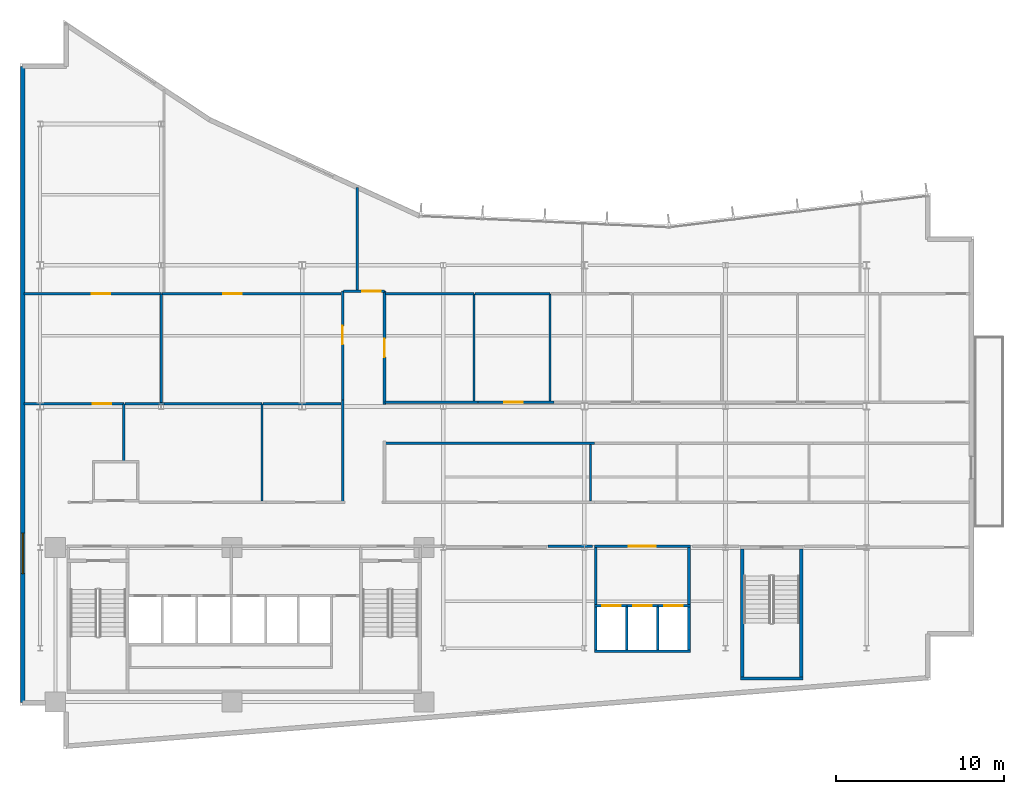
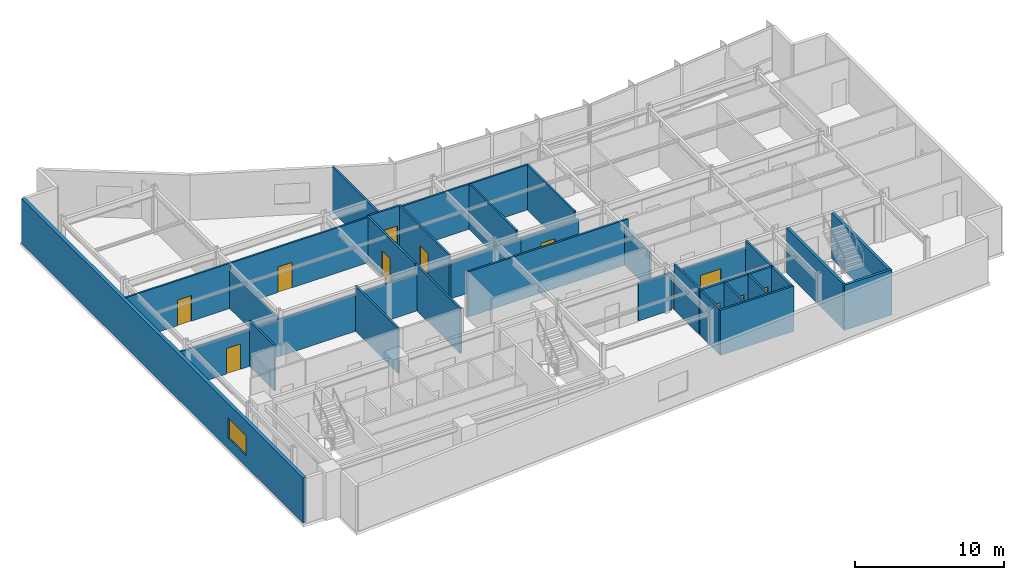
# One storey, part 10 of 17: 38 walls, 11 doors, 1 window, 12 openings.
"""IFC4 building model written with IfcOpenShell, lengths in metres."""

import ifcopenshell
import ifcopenshell.guid

model = None  # the IFC model being written
_history = None  # IfcOwnerHistory: only IFC2X3 demands one
_inside = {}  # id of a spatial element -> (the spatial element, [elements in it])
_under = {}  # id of a project, library or spatial element -> (it, [spatial elements below it])
_declared = {}  # id of a project -> (the project, [libraries it declares])
_typed = {}  # id of a type object -> (the type object, [elements of that type])
_made_of = {}  # id of a material, layer set ... -> (it, [elements and type objects made of it])


def new_model(schema):
    """Start an empty IFC model of exactly this schema.

    Asked for "IFC4X3", IfcOpenShell would pick the latest addendum, in which some entities
    have other attributes; the version numbers below select the first issue.
    IFC2X3 requires an IfcOwnerHistory on every rooted entity: one is made here for all.
    """
    global model, _history
    if schema == "IFC4X3":
        model = ifcopenshell.file(schema_version=(4, 3, 0, 0))
    else:
        model = ifcopenshell.file(schema=schema)
    _inside.clear()
    _under.clear()
    _declared.clear()
    _typed.clear()
    _made_of.clear()
    _history = None
    if model.schema == "IFC2X3":
        org = make("IfcOrganization", Name="unknown")
        user = make(
            "IfcPersonAndOrganization",
            ThePerson=make("IfcPerson", FamilyName="unknown"),
            TheOrganization=org,
        )
        app = make(
            "IfcApplication",
            ApplicationDeveloper=org,
            Version="unknown",
            ApplicationFullName="unknown",
            ApplicationIdentifier="unknown",
        )
        _history = make(
            "IfcOwnerHistory",
            OwningUser=user,
            OwningApplication=app,
            ChangeAction="ADDED",
            CreationDate=0,
        )
    return model


def make(cls, **values):
    """One entity of the class cls with the attributes given. An attribute that is None is left unset."""
    return model.create_entity(
        cls, **{name: value for name, value in values.items() if value is not None}
    )


def rooted(cls, **values):
    """An entity with a GlobalId (a new one), such as an element, a storey or a relation."""
    return make(cls, GlobalId=ifcopenshell.guid.new(), OwnerHistory=_history, **values)


def si_unit(unit_type, name, prefix=None):
    """IfcSIUnit, for example si_unit("LENGTHUNIT", "METRE", prefix="MILLI")."""
    return make("IfcSIUnit", UnitType=unit_type, Prefix=prefix, Name=name)


def assignment(units):
    """IfcUnitAssignment: the units of a project."""
    return None if units is None else make("IfcUnitAssignment", Units=units)


def point(xyz):
    """IfcCartesianPoint."""
    return None if xyz is None else make("IfcCartesianPoint", Coordinates=xyz)


def direction(xyz):
    """IfcDirection."""
    return None if xyz is None else make("IfcDirection", DirectionRatios=xyz)


def frame(location, z_axis=None, x_axis=None):
    """IfcAxis2Placement3D, a coordinate frame: its origin and axes. An axis left out is left unset."""
    return make(
        "IfcAxis2Placement3D",
        Location=point(location),
        Axis=direction(z_axis),
        RefDirection=direction(x_axis),
    )


def frame_2d(location, x_axis=None):
    """IfcAxis2Placement2D, a coordinate frame in the plane: its origin and x axis."""
    return make(
        "IfcAxis2Placement2D", Location=point(location), RefDirection=direction(x_axis)
    )


def origin():
    """The frame at (0, 0, 0) with its axes left unset."""
    return frame((0.0, 0.0, 0.0))


def place(relative_to, where):
    """IfcLocalPlacement: puts the frame where relative to a parent placement (None: the world)."""
    return make(
        "IfcLocalPlacement", PlacementRelTo=relative_to, RelativePlacement=where
    )


def context(
    kind, dimensions, precision=None, world=None, true_north=None, identifier=None
):
    """IfcGeometricRepresentationContext, for example the 3D "Model" context."""
    return make(
        "IfcGeometricRepresentationContext",
        ContextIdentifier=identifier,
        ContextType=kind,
        CoordinateSpaceDimension=dimensions,
        Precision=precision,
        WorldCoordinateSystem=world,
        TrueNorth=true_north,
    )


def subcontext(parent, identifier, kind, view, scale=None):
    """IfcGeometricRepresentationSubContext, for example "Body" below "Model"."""
    return make(
        "IfcGeometricRepresentationSubContext",
        ContextIdentifier=identifier,
        ContextType=kind,
        ParentContext=parent,
        TargetScale=scale,
        TargetView=view,
    )


def project(units=None, contexts=None):
    """IfcProject with its units and contexts."""
    return rooted(
        "IfcProject",
        Name="project",
        RepresentationContexts=contexts,
        UnitsInContext=assignment(units),
    )


def spatial(cls, under=None, at=None, **own):
    """A site, building, storey or space (cls), placed at a placement, below another one or the project."""
    s = rooted(cls, ObjectPlacement=at, **own)
    if under is not None:
        _under.setdefault(under.id(), (under, []))[1].append(s)
    return s


def profile(cls, at=None, kind="AREA", **sizes):
    """A parametric profile (cls). Its sizes go by their IFC names, for example OverallWidth=200.0."""
    return make(cls, ProfileType=kind, Position=at, **sizes)


def rectangle(**sizes):
    """IfcRectangleProfileDef."""
    return profile("IfcRectangleProfileDef", **sizes)


def extrude(swept, where, along, depth):
    """IfcExtrudedAreaSolid: the profile swept, set in the frame where, extruded along a direction by depth."""
    return make(
        "IfcExtrudedAreaSolid",
        SweptArea=swept,
        Position=where,
        ExtrudedDirection=direction(along),
        Depth=depth,
    )


def shape(context_of_items, identifier, shape_type, items):
    """IfcShapeRepresentation: the items that make up one representation, for example the "Body"."""
    return make(
        "IfcShapeRepresentation",
        ContextOfItems=context_of_items,
        RepresentationIdentifier=identifier,
        RepresentationType=shape_type,
        Items=items,
    )


def material(Name=None, Category=None):
    """IfcMaterial."""
    return make("IfcMaterial", Name=Name, Category=Category)


def layer(
    of_material, thickness, ventilated=None, Name=None, Category=None, Priority=None
):
    """IfcMaterialLayer: one layer of a wall or slab, of a material (None: an air gap)."""
    return make(
        "IfcMaterialLayer",
        Material=of_material,
        LayerThickness=thickness,
        IsVentilated=ventilated,
        Name=Name,
        Category=Category,
        Priority=Priority,
    )


def layer_set(layers, Name=None):
    """IfcMaterialLayerSet."""
    return make("IfcMaterialLayerSet", MaterialLayers=layers, LayerSetName=Name)


def made_of(thing, what):
    """Note that an element or type object is made of a material, layer set ...; save() writes the relation."""
    if what is not None:
        _made_of.setdefault(what.id(), (what, []))[1].append(thing)
    return thing


def type_object(cls, material=None, **own):
    """A type object (cls), such as IfcWallType, which elements share."""
    return made_of(rooted(cls, **own), material)


def element(
    cls,
    number,
    at=None,
    inside=None,
    cuts=None,
    type_object=None,
    material=None,
    context=None,
    identifier="Body",
    shape_type=None,
    held_by="IfcProductDefinitionShape",
    body=None,
    shapes=None,
    **own,
):
    """One element of the class cls, such as IfcWall. Its Tag is "e" and its number.

    at: its placement. inside: the storey or other place that contains it. cuts: it is an
    opening in that element (IfcRelVoidsElement). A single representation is given by context,
    identifier, shape_type and body (its items); several are given by shapes. held_by: the class
    of the entity that holds the representations. save() writes the other relations.
    """
    e = rooted(cls, Tag="e%d" % number, ObjectPlacement=at, **own)
    if body is not None:
        shapes = [shape(context, identifier, shape_type, body)]
    if shapes is not None:
        e.Representation = make(held_by, Representations=shapes)
    if inside is not None:
        _inside.setdefault(inside.id(), (inside, []))[1].append(e)
    if cuts is not None:
        rooted(
            "IfcRelVoidsElement", RelatingBuildingElement=cuts, RelatedOpeningElement=e
        )
    if type_object is not None:
        _typed.setdefault(type_object.id(), (type_object, []))[1].append(e)
    return made_of(e, material)


def fill(opening, filler):
    """IfcRelFillsElement: the door or window that sits in an opening."""
    return rooted(
        "IfcRelFillsElement",
        RelatingOpeningElement=opening,
        RelatedBuildingElement=filler,
    )


def aggregate(whole, parts):
    """IfcRelAggregates: a whole, such as a stair, and the parts it consists of."""
    return rooted("IfcRelAggregates", RelatingObject=whole, RelatedObjects=parts)


def save(model, path):
    """Write the relations noted so far, then the file.

    IfcRelAggregates (storeys below a building ...), IfcRelContainedInSpatialStructure (elements
    in a storey), IfcRelDefinesByType, IfcRelAssociatesMaterial and IfcRelDeclares: one each for
    every whole, place, type object, material and project.
    """
    for whole, parts in _under.values():
        aggregate(whole, parts)
    for where, things in _inside.values():
        rooted(
            "IfcRelContainedInSpatialStructure",
            RelatedElements=things,
            RelatingStructure=where,
        )
    for kind, things in _typed.values():
        rooted("IfcRelDefinesByType", RelatedObjects=things, RelatingType=kind)
    for what, things in _made_of.values():
        rooted("IfcRelAssociatesMaterial", RelatedObjects=things, RelatingMaterial=what)
    for by, libraries in _declared.values():
        rooted("IfcRelDeclares", RelatingContext=by, RelatedDefinitions=libraries)
    model.write(path)


model = new_model("IFC4")

# Units and contexts
model_context = context("Model", 3, precision=1e-05, world=origin(), true_north=direction((0.0, 1.0)))
body_context = subcontext(model_context, "Body", "Model", "MODEL_VIEW")
ifc_project = project(units=[si_unit("LENGTHUNIT", "METRE"), si_unit("AREAUNIT", "SQUARE_METRE"), si_unit("VOLUMEUNIT", "CUBIC_METRE"), si_unit("PLANEANGLEUNIT", "RADIAN"), si_unit("MASSUNIT", "GRAM", prefix="KILO")], contexts=[model_context])

# Site, building, storey
site_placement = place(None, origin())
site = spatial("IfcSite", under=ifc_project, at=site_placement, CompositionType="ELEMENT")
building_placement = place(site_placement, origin())
building = spatial("IfcBuilding", under=site, at=building_placement, Name="Varnakote Quay Hospital", CompositionType="ELEMENT")
storey_placement = place(building_placement, frame((0.0, 0.0, 134.949951171875)))
storey = spatial("IfcBuildingStorey", under=building, at=storey_placement, Name="L33", CompositionType="ELEMENT", Elevation=134.949951171875)

# Walls
ifc_material_1 = material(Name="Fire-rated acoustic gypsum stud wall", Category="gypsum")
ifc_layer_1 = layer(ifc_material_1, 0.159912109375)
ifc_layer_set_1 = layer_set([ifc_layer_1], Name="Fire-rated acoustic gypsum stud wall")
wall_type_1 = type_object("IfcWallType", Name="WL-COMP-160", PredefinedType="PARTITIONING", material=ifc_layer_set_1)
for number, where, z_axis, x_axis, name in (
    (1, (34.27001953125, 8.610107421875, 0.0), (0.0, 0.0, 1.0), (0.0, 1.0, 0.0), "L33 Mid-Rise Lift Lobby West Wall"),
    (2, (39.830078125, 8.610107421875, 0.0), (0.0, 0.0, 1.0), (0.0, 1.0, 0.0), "L33 Mid-Rise Lift Lobby East Wall"),
):
    element("IfcWall", number, at=place(storey_placement, frame(where, z_axis=z_axis, x_axis=x_axis)), inside=storey, type_object=wall_type_1, Name=name, PredefinedType="PARTITIONING", context=body_context, shape_type="SweptSolid", body=[
        extrude(rectangle(XDim=3.389892578125, YDim=0.159912109375, at=frame_2d((1.69482421875, 0.0))), origin(), (0.0, 0.0, 1.0), 3.7099609375),
    ])

# Wall, opening, door
wall_1_placement = place(storey_placement, frame((34.18994140625, 12.080078125, 0.0), z_axis=(0.0, 0.0, 1.0), x_axis=(1.0, 0.0, 0.0)))
wall_1 = element("IfcWall", 3, at=wall_1_placement, inside=storey, type_object=wall_type_1, Name="L33 Mid-Rise Lift Lobby North Wall", PredefinedType="PARTITIONING", context=body_context, shape_type="SweptSolid", body=[
    extrude(rectangle(XDim=5.719970703125, YDim=0.159912109375, at=frame_2d((2.85986328125, 0.0))), origin(), (0.0, 0.0, 1.0), 3.0830078125),
])
opening_1_placement = place(wall_1_placement, frame((2.06005859375, 0.0, 0.0)))
opening_1 = element("IfcOpeningElement", 4, at=opening_1_placement, cuts=wall_1, Name="Opening D-PML-L33", PredefinedType="OPENING", context=body_context, shape_type="SweptSolid", body=[
    extrude(rectangle(XDim=1.60009765625, YDim=2.050048828125, at=frame_2d((0.800048828125, 1.02490234375))), frame((0.0, 0.08984375, 0.0), z_axis=(0.0, -1.0, 0.0), x_axis=(1.0, 0.0, 0.0)), (0.0, 0.0, 1.0), 0.179931640625),
])
ifc_material_2 = material(Name="Fire-rated double smoke lobby door")
door_type_1 = type_object("IfcDoorType", Name="DR-LOBBY-FD60S-1600x2150", OperationType="NOTDEFINED", PredefinedType="DOOR", material=ifc_material_2)
door_1_placement = place(opening_1_placement, origin())
door_1 = element("IfcDoor", 5, at=door_1_placement, inside=storey, type_object=door_type_1, Name="L33 Mid-Rise Passenger Concourse Vestibule Door", OperationType="DOUBLE_DOOR_SINGLE_SWING", OverallHeight=2.050048828125, OverallWidth=1.60009765625, PredefinedType="DOOR", context=body_context, shape_type="SweptSolid", body=[
    extrude(rectangle(XDim=1.60009765625, YDim=2.050048828125, at=frame_2d((0.800048828125, 1.02490234375))), frame((0.0, 0.02490234375, 0.0), z_axis=(0.0, -1.0, 0.0), x_axis=(1.0, 0.0, 0.0)), (0.0, 0.0, 1.0), 0.050048828125),
])
fill(opening_1, door_1)

# Wall
wall_2_placement = place(storey_placement, frame((31.439208984375, 12.080078125, 0.0), z_axis=(0.0, 0.0, 1.0), x_axis=(1.0, 0.0, 0.0)))
element("IfcWall", 6, at=wall_2_placement, inside=storey, type_object=wall_type_1, Name="L33 Corridor South Gap Wall", PredefinedType="PARTITIONING", context=body_context, shape_type="SweptSolid", body=[
    extrude(rectangle(XDim=2.630859375, YDim=0.159912109375, at=frame_2d((1.3154296875, 0.0))), origin(), (0.0, 0.0, 1.0), 3.0830078125),
])

# Wall, opening, window
ifc_material_3 = material(Name="Precast concrete N50 (f'c 50 MPa)", Category="concrete")
ifc_layer_2 = layer(ifc_material_3, 0.260009765625)
ifc_layer_set_2 = layer_set([ifc_layer_2], Name="Precast concrete N50 (f'c 50 MPa)")
wall_type_2 = type_object("IfcWallType", Name="WL-EXT-BRICK-260", PredefinedType="STANDARD", material=ifc_layer_set_2)
wall_3_placement = place(storey_placement, frame((0.159912109375, 40.639892578125, 0.0), z_axis=(0.0, 0.0, 1.0), x_axis=(0.0, -1.0, 0.0)))
wall_3 = element("IfcWall", 7, at=wall_3_placement, inside=storey, type_object=wall_type_2, Name="L33 Brick-Faced Precast Exterior Wall", PredefinedType="STANDARD", context=body_context, shape_type="SweptSolid", body=[
    extrude(rectangle(XDim=37.8798828125, YDim=0.260009765625, at=frame_2d((18.93994140625, 0.0))), origin(), (0.0, 0.0, 1.0), 3.7099609375),
])
opening_2_placement = place(wall_3_placement, frame((27.794921875, 0.0, 0.89990234375)))
opening_2 = element("IfcOpeningElement", 8, at=opening_2_placement, cuts=wall_3, Name="Opening WN-0145", PredefinedType="OPENING", context=body_context, shape_type="SweptSolid", body=[
    extrude(rectangle(XDim=2.39990234375, YDim=1.64990234375, at=frame_2d((1.199951171875, 0.824951171875))), frame((0.0, 0.139892578125, 0.0), z_axis=(0.0, -1.0, 0.0), x_axis=(1.0, 0.0, 0.0)), (0.0, 0.0, 1.0), 0.280029296875),
])
ifc_material_4 = material(Name="Double-glazed low-E solar glass", Category="glass")
window_type = type_object("IfcWindowType", Name="WIN-CLIN-2400x1650", PartitioningType="SINGLE_PANEL", PredefinedType="WINDOW", material=ifc_material_4)
window_placement = place(opening_2_placement, origin())
window = element("IfcWindow", 9, at=window_placement, inside=storey, type_object=window_type, Name="L33 Solar-Control Clinical Window", OverallHeight=1.64990234375, OverallWidth=2.39990234375, PartitioningType="SINGLE_PANEL", PredefinedType="WINDOW", context=body_context, shape_type="SweptSolid", body=[
    extrude(rectangle(XDim=2.39990234375, YDim=1.64990234375, at=frame_2d((1.199951171875, 0.824951171875))), frame((0.0, 0.030029296875, 0.0), z_axis=(0.0, -1.0, 0.0), x_axis=(1.0, 0.0, 0.0)), (0.0, 0.0, 1.0), 0.06005859375),
])
fill(opening_2, window)

# Walls
ifc_material_5 = material(Name="Concrete N50 (f'c 50 MPa)", Category="concrete")
ifc_layer_3 = layer(ifc_material_5, 0.14990234375)
ifc_layer_set_3 = layer_set([ifc_layer_3], Name="Concrete N50 (f'c 50 MPa)")
wall_type_3 = type_object("IfcWallType", Name="WL-SHAFT-N50-150", PredefinedType="SHEAR", material=ifc_layer_set_3)
for number, where, z_axis, x_axis, name in (
    (10, (36.125, 5.89990234375, 0.0), (0.0, 0.0, 1.0), (0.0, 1.0, 0.0), "L33 LF-PM1 Hoistway Divider Wall"),
    (11, (37.97509765625, 5.89990234375, 0.0), (0.0, 0.0, 1.0), (0.0, 1.0, 0.0), "L33 LF-PM2 Hoistway Divider Wall"),
):
    element("IfcWall", number, at=place(storey_placement, frame(where, z_axis=z_axis, x_axis=x_axis)), inside=storey, type_object=wall_type_3, Name=name, PredefinedType="SHEAR", context=body_context, shape_type="SweptSolid", body=[
        extrude(rectangle(XDim=2.550048828125, YDim=0.14990234375, at=frame_2d((1.27490234375, 0.0))), origin(), (0.0, 0.0, 1.0), 3.7099609375),
    ])
ifc_material_6 = material(Name="Concrete N50 (f'c 50 MPa)", Category="concrete")
ifc_layer_4 = layer(ifc_material_6, 0.159912109375)
ifc_layer_set_4 = layer_set([ifc_layer_4], Name="Concrete N50 (f'c 50 MPa)")
wall_type_4 = type_object("IfcWallType", Name="WL-SHAFT-N50-160", PredefinedType="SHEAR", material=ifc_layer_set_4)
wall_4_placement = place(storey_placement, frame((34.18994140625, 5.820068359375, 0.0), z_axis=(0.0, 0.0, 1.0), x_axis=(1.0, 0.0, 0.0)))
element("IfcWall", 12, at=wall_4_placement, inside=storey, type_object=wall_type_4, Name="L33 MID Lift Bank Back Shear Wall", PredefinedType="SHEAR", context=body_context, shape_type="SweptSolid", body=[
    extrude(rectangle(XDim=5.719970703125, YDim=0.159912109375, at=frame_2d((2.85986328125, 0.0))), origin(), (0.0, 0.0, 1.0), 3.7099609375),
])
for number, where, z_axis, x_axis, name in (
    (13, (34.27001953125, 5.89990234375, 0.0), (0.0, 0.0, 1.0), (0.0, 1.0, 0.0), "L33 MID Lift Bank West Shear Wall"),
    (14, (39.830078125, 5.89990234375, 0.0), (0.0, 0.0, 1.0), (0.0, 1.0, 0.0), "L33 MID Lift Bank East Shear Wall"),
):
    element("IfcWall", number, at=place(storey_placement, frame(where, z_axis=z_axis, x_axis=x_axis)), inside=storey, type_object=wall_type_4, Name=name, PredefinedType="SHEAR", context=body_context, shape_type="SweptSolid", body=[
        extrude(rectangle(XDim=2.550048828125, YDim=0.159912109375, at=frame_2d((1.27490234375, 0.0))), origin(), (0.0, 0.0, 1.0), 3.7099609375),
    ])

# Wall, opening, door
wall_5_placement = place(storey_placement, frame((34.18994140625, 8.530029296875, 0.0), z_axis=(0.0, 0.0, 1.0), x_axis=(1.0, 0.0, 0.0)))
wall_5 = element("IfcWall", 15, at=wall_5_placement, inside=storey, type_object=wall_type_4, Name="L33 LF-PM1 Hoistway Front Wall", PredefinedType="SHEAR", context=body_context, shape_type="SweptSolid", body=[
    extrude(rectangle(XDim=1.93505859375, YDim=0.159912109375, at=frame_2d((0.967529296875, 0.0))), origin(), (0.0, 0.0, 1.0), 3.7099609375),
])
opening_3_placement = place(wall_5_placement, frame((0.4599609375, 0.0, 0.0)))
opening_3 = element("IfcOpeningElement", 16, at=opening_3_placement, cuts=wall_5, Name="Opening LD-PM1-L33", PredefinedType="OPENING", context=body_context, shape_type="SweptSolid", body=[
    extrude(rectangle(XDim=1.10009765625, YDim=2.14990234375, at=frame_2d((0.550048828125, 1.074951171875))), frame((0.0, 0.08984375, 0.0), z_axis=(0.0, -1.0, 0.0), x_axis=(1.0, 0.0, 0.0)), (0.0, 0.0, 1.0), 0.179931640625),
])
ifc_material_7 = material(Name="Brushed bronze lift landing sliding door")
door_type_2 = type_object("IfcDoorType", Name="DR-LIFT-LD-1100x2150", OperationType="NOTDEFINED", PredefinedType="DOOR", material=ifc_material_7)
door_2_placement = place(opening_3_placement, origin())
door_2 = element("IfcDoor", 17, at=door_2_placement, inside=storey, type_object=door_type_2, Name="L33 LF-PM1 Lift Landing Sliding Door", OperationType="SLIDING_TO_LEFT", OverallHeight=2.14990234375, OverallWidth=1.10009765625, PredefinedType="DOOR", context=body_context, shape_type="SweptSolid", body=[
    extrude(rectangle(XDim=1.10009765625, YDim=2.14990234375, at=frame_2d((0.550048828125, 1.074951171875))), frame((0.0, 0.02490234375, 0.0), z_axis=(0.0, -1.0, 0.0), x_axis=(1.0, 0.0, 0.0)), (0.0, 0.0, 1.0), 0.050048828125),
])
fill(opening_3, door_2)

wall_6_placement = place(storey_placement, frame((36.125, 8.530029296875, 0.0), z_axis=(0.0, 0.0, 1.0), x_axis=(1.0, 0.0, 0.0)))
wall_6 = element("IfcWall", 18, at=wall_6_placement, inside=storey, type_object=wall_type_4, Name="L33 LF-PM2 Hoistway Front Wall", PredefinedType="SHEAR", context=body_context, shape_type="SweptSolid", body=[
    extrude(rectangle(XDim=1.85009765625, YDim=0.159912109375, at=frame_2d((0.925048828125, 0.0))), origin(), (0.0, 0.0, 1.0), 3.7099609375),
])
opening_4_placement = place(wall_6_placement, frame((0.375, 0.0, 0.0)))
opening_4 = element("IfcOpeningElement", 19, at=opening_4_placement, cuts=wall_6, Name="Opening LD-PM2-L33", PredefinedType="OPENING", context=body_context, shape_type="SweptSolid", body=[
    extrude(rectangle(XDim=1.10009765625, YDim=2.14990234375, at=frame_2d((0.550048828125, 1.074951171875))), frame((0.0, 0.08984375, 0.0), z_axis=(0.0, -1.0, 0.0), x_axis=(1.0, 0.0, 0.0)), (0.0, 0.0, 1.0), 0.179931640625),
])
door_3_placement = place(opening_4_placement, origin())
door_3 = element("IfcDoor", 20, at=door_3_placement, inside=storey, type_object=door_type_2, Name="L33 LF-PM2 Lift Landing Sliding Door", OperationType="SLIDING_TO_LEFT", OverallHeight=2.14990234375, OverallWidth=1.10009765625, PredefinedType="DOOR", context=body_context, shape_type="SweptSolid", body=[
    extrude(rectangle(XDim=1.10009765625, YDim=2.14990234375, at=frame_2d((0.550048828125, 1.074951171875))), frame((0.0, 0.02490234375, 0.0), z_axis=(0.0, -1.0, 0.0), x_axis=(1.0, 0.0, 0.0)), (0.0, 0.0, 1.0), 0.050048828125),
])
fill(opening_4, door_3)

wall_7_placement = place(storey_placement, frame((37.97509765625, 8.530029296875, 0.0), z_axis=(0.0, 0.0, 1.0), x_axis=(1.0, 0.0, 0.0)))
wall_7 = element("IfcWall", 21, at=wall_7_placement, inside=storey, type_object=wall_type_4, Name="L33 LF-PM3 Hoistway Front Wall", PredefinedType="SHEAR", context=body_context, shape_type="SweptSolid", body=[
    extrude(rectangle(XDim=1.934814453125, YDim=0.159912109375, at=frame_2d((0.96728515625, 0.0))), origin(), (0.0, 0.0, 1.0), 3.7099609375),
])
opening_5_placement = place(wall_7_placement, frame((0.375, 0.0, 0.0)))
opening_5 = element("IfcOpeningElement", 22, at=opening_5_placement, cuts=wall_7, Name="Opening LD-PM3-L33", PredefinedType="OPENING", context=body_context, shape_type="SweptSolid", body=[
    extrude(rectangle(XDim=1.10009765625, YDim=2.14990234375, at=frame_2d((0.550048828125, 1.074951171875))), frame((0.0, 0.08984375, 0.0), z_axis=(0.0, -1.0, 0.0), x_axis=(1.0, 0.0, 0.0)), (0.0, 0.0, 1.0), 0.179931640625),
])
door_4_placement = place(opening_5_placement, origin())
door_4 = element("IfcDoor", 23, at=door_4_placement, inside=storey, type_object=door_type_2, Name="L33 LF-PM3 Lift Landing Sliding Door", OperationType="SLIDING_TO_LEFT", OverallHeight=2.14990234375, OverallWidth=1.10009765625, PredefinedType="DOOR", context=body_context, shape_type="SweptSolid", body=[
    extrude(rectangle(XDim=1.10009765625, YDim=2.14990234375, at=frame_2d((0.550048828125, 1.074951171875))), frame((0.0, 0.02490234375, 0.0), z_axis=(0.0, -1.0, 0.0), x_axis=(1.0, 0.0, 0.0)), (0.0, 0.0, 1.0), 0.050048828125),
])
fill(opening_5, door_4)

# Walls
ifc_material_8 = material(Name="Concrete N50 (f'c 50 MPa)", Category="concrete")
ifc_layer_5 = layer(ifc_material_8, 0.199951171875)
ifc_layer_set_5 = layer_set([ifc_layer_5], Name="Concrete N50 (f'c 50 MPa)")
wall_type_5 = type_object("IfcWallType", Name="WL-SHAFT-N50-200", PredefinedType="SHEAR", material=ifc_layer_set_5)
wall_8_placement = place(storey_placement, frame((42.89990234375, 4.199951171875, 0.0), z_axis=(0.0, 0.0, 1.0), x_axis=(1.0, 0.0, 0.0)))
element("IfcWall", 24, at=wall_8_placement, inside=storey, type_object=wall_type_5, Name="L33 Stair ST3 South Shaft Wall", PredefinedType="SHEAR", context=body_context, shape_type="SweptSolid", body=[
    extrude(rectangle(XDim=3.7001953125, YDim=0.199951171875, at=frame_2d((1.85009765625, 0.0))), origin(), (0.0, 0.0, 1.0), 3.7099609375),
])
for number, where, z_axis, x_axis, name in (
    (25, (43.0, 4.300048828125, 0.0), (0.0, 0.0, 1.0), (0.0, 1.0, 0.0), "L33 Stair ST3 West Shaft Wall"),
    (26, (46.5, 4.300048828125, 0.0), (0.0, 0.0, 1.0), (0.0, 1.0, 0.0), "L33 Stair ST3 East Shaft Wall"),
):
    element("IfcWall", number, at=place(storey_placement, frame(where, z_axis=z_axis, x_axis=x_axis)), inside=storey, type_object=wall_type_5, Name=name, PredefinedType="SHEAR", context=body_context, shape_type="SweptSolid", body=[
        extrude(rectangle(XDim=7.599853515625, YDim=0.199951171875, at=frame_2d((3.7998046875, 0.0))), origin(), (0.0, 0.0, 1.0), 3.7099609375),
    ])
ifc_material_9 = material(Name="Smoke-proof clinical partition", Category="gypsum")
ifc_layer_6 = layer(ifc_material_9, 0.135009765625)
ifc_layer_set_6 = layer_set([ifc_layer_6], Name="Smoke-proof clinical partition")
wall_type_6 = type_object("IfcWallType", Name="WL-SMOKE-135", PredefinedType="PARTITIONING", material=ifc_layer_set_6)
wall_9_placement = place(storey_placement, frame((6.179931640625, 17.139892578125, 0.0), z_axis=(0.0, 0.0, 1.0), x_axis=(0.0, 1.0, 0.0)))
element("IfcWall", 27, at=wall_9_placement, inside=storey, type_object=wall_type_6, Name="L33 Clinical Interior Partition", PredefinedType="PARTITIONING", context=body_context, shape_type="SweptSolid", body=[
    extrude(rectangle(XDim=3.41015625, YDim=0.135009765625, at=frame_2d((1.705078125, 0.0))), origin(), (0.0, 0.0, 1.0), 3.7099609375),
])

# Wall, opening, door
wall_10_placement = place(storey_placement, frame((6.179931640625, 20.550048828125, 0.0), z_axis=(0.0, 0.0, 1.0), x_axis=(-1.0, 0.0, 0.0)))
wall_10 = element("IfcWall", 28, at=wall_10_placement, inside=storey, type_object=wall_type_6, Name="L33 Clinical Interior Partition", PredefinedType="PARTITIONING", context=body_context, shape_type="SweptSolid", body=[
    extrude(rectangle(XDim=5.93994140625, YDim=0.135009765625, at=frame_2d((2.969970703125, 0.0))), origin(), (0.0, 0.0, 1.0), 3.0830078125),
])
opening_6_placement = place(wall_10_placement, frame((0.7548828125, 0.0, 0.0)))
opening_6 = element("IfcOpeningElement", 29, at=opening_6_placement, cuts=wall_10, Name="Opening D-L33-MD08", PredefinedType="OPENING", context=body_context, shape_type="SweptSolid", body=[
    extrude(rectangle(XDim=1.10009765625, YDim=2.10009765625, at=frame_2d((0.550048828125, 1.050048828125))), frame((0.0, 0.077392578125, 0.0), z_axis=(0.0, -1.0, 0.0), x_axis=(1.0, 0.0, 0.0)), (0.0, 0.0, 1.0), 0.155029296875),
])
ifc_material_10 = material(Name="Acoustic timber clinical consult door", Category="wood")
door_type_3 = type_object("IfcDoorType", Name="DR-CLIN-FD30S-1100x2100", OperationType="NOTDEFINED", PredefinedType="DOOR", material=ifc_material_10)
door_5_placement = place(opening_6_placement, origin())
door_5 = element("IfcDoor", 30, at=door_5_placement, inside=storey, type_object=door_type_3, Name="L33 Clinical Coordinator Office Door", OperationType="SINGLE_SWING_RIGHT", OverallHeight=2.10009765625, OverallWidth=1.10009765625, PredefinedType="DOOR", context=body_context, shape_type="SweptSolid", body=[
    extrude(rectangle(XDim=1.10009765625, YDim=2.10009765625, at=frame_2d((0.550048828125, 1.050048828125))), frame((0.0, 0.02490234375, 0.0), z_axis=(0.0, -1.0, 0.0), x_axis=(1.0, 0.0, 0.0)), (0.0, 0.0, 1.0), 0.050048828125),
])
fill(opening_6, door_5)

# Walls
wall_11_placement = place(storey_placement, frame((14.409912109375, 14.760009765625, 0.0), z_axis=(0.0, 0.0, 1.0), x_axis=(0.0, 1.0, 0.0)))
element("IfcWall", 31, at=wall_11_placement, inside=storey, type_object=wall_type_6, Name="L33 Clinical Interior Partition", PredefinedType="PARTITIONING", context=body_context, shape_type="SweptSolid", body=[
    extrude(rectangle(XDim=5.7900390625, YDim=0.135009765625, at=frame_2d((2.89501953125, 0.0))), origin(), (0.0, 0.0, 1.0), 3.7099609375),
])
wall_12_placement = place(storey_placement, frame((8.568359375, 20.550048828125, 0.0), z_axis=(0.0, 0.0, 1.0), x_axis=(-1.0, 0.0, 0.0)))
element("IfcWall", 32, at=wall_12_placement, inside=storey, type_object=wall_type_6, Name="L33 Clinical Interior Partition", PredefinedType="PARTITIONING", context=body_context, shape_type="SweptSolid", body=[
    extrude(rectangle(XDim=2.330810546875, YDim=0.135009765625, at=frame_2d((1.16552734375, 0.0))), origin(), (0.0, 0.0, 1.0), 3.0830078125),
])
wall_13_placement = place(storey_placement, frame((14.409912109375, 20.550048828125, 0.0), z_axis=(0.0, 0.0, 1.0), x_axis=(-1.0, 0.0, 0.0)))
element("IfcWall", 33, at=wall_13_placement, inside=storey, type_object=wall_type_6, Name="L33 Clinical Interior Partition", PredefinedType="PARTITIONING", context=body_context, shape_type="SweptSolid", body=[
    extrude(rectangle(XDim=5.839599609375, YDim=0.135009765625, at=frame_2d((2.919921875, 0.0))), origin(), (0.0, 0.0, 1.0), 3.0830078125),
])
wall_14_placement = place(storey_placement, frame((19.1201171875, 20.550048828125, 0.0), z_axis=(0.0, 0.0, 1.0), x_axis=(-1.0, 0.0, 0.0)))
element("IfcWall", 34, at=wall_14_placement, inside=storey, type_object=wall_type_6, Name="L33 Clinical Interior Partition", PredefinedType="PARTITIONING", context=body_context, shape_type="SweptSolid", body=[
    extrude(rectangle(XDim=4.652587890625, YDim=0.135009765625, at=frame_2d((2.326171875, 0.0))), origin(), (0.0, 0.0, 1.0), 3.0830078125),
])
wall_15_placement = place(storey_placement, frame((33.969970703125, 14.760009765625, 0.0), z_axis=(0.0, 0.0, 1.0), x_axis=(0.0, 1.0, 0.0)))
element("IfcWall", 35, at=wall_15_placement, inside=storey, type_object=wall_type_6, Name="L33 Clinical Interior Partition", PredefinedType="PARTITIONING", context=body_context, shape_type="SweptSolid", body=[
    extrude(rectangle(XDim=3.360107421875, YDim=0.135009765625, at=frame_2d((1.68017578125, 0.0))), origin(), (0.0, 0.0, 1.0), 3.152099609375),
])
wall_16_placement = place(storey_placement, frame((8.409912109375, 20.607421875, 0.0), z_axis=(0.0, 0.0, 1.0), x_axis=(0.0, 1.0, 0.0)))
element("IfcWall", 36, at=wall_16_placement, inside=storey, type_object=wall_type_6, Name="L33 Clinical Interior Partition", PredefinedType="PARTITIONING", context=body_context, shape_type="SweptSolid", body=[
    extrude(rectangle(XDim=6.49267578125, YDim=0.135009765625, at=frame_2d((3.246337890625, 0.0))), origin(), (0.0, 0.0, 1.0), 3.152099609375),
])

# Wall, opening, door
wall_17_placement = place(storey_placement, frame((8.409912109375, 27.10009765625, 0.0), z_axis=(0.0, 0.0, 1.0), x_axis=(-1.0, 0.0, 0.0)))
wall_17 = element("IfcWall", 37, at=wall_17_placement, inside=storey, type_object=wall_type_6, Name="L33 Clinical Interior Partition", PredefinedType="PARTITIONING", context=body_context, shape_type="SweptSolid", body=[
    extrude(rectangle(XDim=8.169921875, YDim=0.135009765625, at=frame_2d((4.0849609375, 0.0))), origin(), (0.0, 0.0, 1.0), 3.7099609375),
])
opening_7_placement = place(wall_17_placement, frame((3.034912109375, 0.0, 0.0)))
opening_7 = element("IfcOpeningElement", 38, at=opening_7_placement, cuts=wall_17, Name="Opening D-L33-MD16", PredefinedType="OPENING", context=body_context, shape_type="SweptSolid", body=[
    extrude(rectangle(XDim=1.10009765625, YDim=2.10009765625, at=frame_2d((0.550048828125, 1.050048828125))), frame((0.0, 0.077392578125, 0.0), z_axis=(0.0, -1.0, 0.0), x_axis=(1.0, 0.0, 0.0)), (0.0, 0.0, 1.0), 0.155029296875),
])
door_6_placement = place(opening_7_placement, origin())
door_6 = element("IfcDoor", 39, at=door_6_placement, inside=storey, type_object=door_type_3, Name="L33 Clinical Coordinator Office Door", OperationType="SINGLE_SWING_LEFT", OverallHeight=2.10009765625, OverallWidth=1.10009765625, PredefinedType="DOOR", context=body_context, shape_type="SweptSolid", body=[
    extrude(rectangle(XDim=1.10009765625, YDim=2.10009765625, at=frame_2d((0.550048828125, 1.050048828125))), frame((0.0, 0.02490234375, 0.0), z_axis=(0.0, -1.0, 0.0), x_axis=(1.0, 0.0, 0.0)), (0.0, 0.0, 1.0), 0.050048828125),
])
fill(opening_7, door_6)

wall_18_placement = place(storey_placement, frame((19.1201171875, 27.10009765625, 0.0), z_axis=(0.0, 0.0, 1.0), x_axis=(-1.0, 0.0, 0.0)))
wall_18 = element("IfcWall", 40, at=wall_18_placement, inside=storey, type_object=wall_type_6, Name="L33 Clinical Interior Partition", PredefinedType="PARTITIONING", context=body_context, shape_type="SweptSolid", body=[
    extrude(rectangle(XDim=10.652587890625, YDim=0.135009765625, at=frame_2d((5.326171875, 0.0))), origin(), (0.0, 0.0, 1.0), 3.7099609375),
])
opening_8_placement = place(wall_18_placement, frame((5.92041015625, 0.0, 0.0)))
opening_8 = element("IfcOpeningElement", 41, at=opening_8_placement, cuts=wall_18, Name="Opening D-L33-MD17", PredefinedType="OPENING", context=body_context, shape_type="SweptSolid", body=[
    extrude(rectangle(XDim=1.10009765625, YDim=2.10009765625, at=frame_2d((0.550048828125, 1.050048828125))), frame((0.0, 0.077392578125, 0.0), z_axis=(0.0, -1.0, 0.0), x_axis=(1.0, 0.0, 0.0)), (0.0, 0.0, 1.0), 0.155029296875),
])
door_7_placement = place(opening_8_placement, origin())
door_7 = element("IfcDoor", 42, at=door_7_placement, inside=storey, type_object=door_type_3, Name="L33 Day Procedure Treatment Suite Door", OperationType="SINGLE_SWING_RIGHT", OverallHeight=2.10009765625, OverallWidth=1.10009765625, PredefinedType="DOOR", context=body_context, shape_type="SweptSolid", body=[
    extrude(rectangle(XDim=1.10009765625, YDim=2.10009765625, at=frame_2d((0.550048828125, 1.050048828125))), frame((0.0, 0.02490234375, 0.0), z_axis=(0.0, -1.0, 0.0), x_axis=(1.0, 0.0, 0.0)), (0.0, 0.0, 1.0), 0.050048828125),
])
fill(opening_8, door_7)

# Walls
wall_19_placement = place(storey_placement, frame((27.030029296875, 20.715087890625, 0.0), z_axis=(0.0, 0.0, 1.0), x_axis=(0.0, 1.0, 0.0)))
element("IfcWall", 43, at=wall_19_placement, inside=storey, type_object=wall_type_6, Name="L33 Clinical Interior Partition", PredefinedType="PARTITIONING", context=body_context, shape_type="SweptSolid", body=[
    extrude(rectangle(XDim=6.385009765625, YDim=0.135009765625, at=frame_2d((3.1923828125, 0.0))), origin(), (0.0, 0.0, 1.0), 3.7099609375),
])
wall_20_placement = place(storey_placement, frame((27.030029296875, 27.10009765625, 0.0), z_axis=(0.0, 0.0, 1.0), x_axis=(-1.0, 0.0, 0.0)))
element("IfcWall", 44, at=wall_20_placement, inside=storey, type_object=wall_type_6, Name="L33 Clinical Interior Partition", PredefinedType="PARTITIONING", context=body_context, shape_type="SweptSolid", body=[
    extrude(rectangle(XDim=5.26513671875, YDim=0.135009765625, at=frame_2d((2.632568359375, 0.0))), origin(), (0.0, 0.0, 1.0), 3.7099609375),
])
wall_21_placement = place(storey_placement, frame((31.550048828125, 20.715087890625, 0.0), z_axis=(0.0, 0.0, 1.0), x_axis=(0.0, 1.0, 0.0)))
element("IfcWall", 45, at=wall_21_placement, inside=storey, type_object=wall_type_6, Name="L33 Clinical Interior Partition", PredefinedType="PARTITIONING", context=body_context, shape_type="SweptSolid", body=[
    extrude(rectangle(XDim=6.385009765625, YDim=0.135009765625, at=frame_2d((3.1923828125, 0.0))), origin(), (0.0, 0.0, 1.0), 3.7099609375),
])
wall_22_placement = place(storey_placement, frame((31.550048828125, 27.10009765625, 0.0), z_axis=(0.0, 0.0, 1.0), x_axis=(-1.0, 0.0, 0.0)))
element("IfcWall", 46, at=wall_22_placement, inside=storey, type_object=wall_type_6, Name="L33 Clinical Interior Partition", PredefinedType="PARTITIONING", context=body_context, shape_type="SweptSolid", body=[
    extrude(rectangle(XDim=4.462646484375, YDim=0.135009765625, at=frame_2d((2.2314453125, 0.0))), origin(), (0.0, 0.0, 1.0), 3.7099609375),
])
wall_23_placement = place(storey_placement, frame((20.080078125, 27.320068359375, 0.0), z_axis=(0.0, 0.0, 1.0), x_axis=(0.0, 1.0, 0.0)))
element("IfcWall", 47, at=wall_23_placement, inside=storey, type_object=wall_type_6, Name="L33 Clinical Interior Partition", PredefinedType="PARTITIONING", context=body_context, shape_type="SweptSolid", body=[
    extrude(rectangle(XDim=6.10693359375, YDim=0.135009765625, at=frame_2d((3.053466796875, 0.0))), origin(), (0.0, 0.0, 1.0), 3.7099609375),
])
ifc_material_11 = material(Name="Fire-rated clinical gypsum partition", Category="gypsum")
ifc_layer_7 = layer(ifc_material_11, 0.14990234375)
ifc_layer_set_7 = layer_set([ifc_layer_7], Name="Fire-rated clinical gypsum partition")
wall_type_7 = type_object("IfcWallType", Name="WL-WARD-150", PredefinedType="PARTITIONING", material=ifc_layer_set_7)
wall_24_placement = place(storey_placement, frame((19.199951171875, 20.77587890625, 0.0), z_axis=(0.0, 0.0, 1.0), x_axis=(0.0, -1.0, 0.0)))
element("IfcWall", 48, at=wall_24_placement, inside=storey, type_object=wall_type_7, Name="L33 Clinical Interior Partition", PredefinedType="PARTITIONING", context=body_context, shape_type="SweptSolid", body=[
    extrude(rectangle(XDim=6.075927734375, YDim=0.14990234375, at=frame_2d((3.0380859375, 0.0))), origin(), (0.0, 0.0, 1.0), 3.7099609375),
])

# Wall, opening, door
wall_25_placement = place(storey_placement, frame((19.199951171875, 27.260009765625, 0.0), z_axis=(0.0, 0.0, 1.0), x_axis=(0.0, -1.0, 0.0)))
wall_25 = element("IfcWall", 49, at=wall_25_placement, inside=storey, type_object=wall_type_7, Name="L33 Clinical Interior Partition", PredefinedType="PARTITIONING", context=body_context, shape_type="SweptSolid", body=[
    extrude(rectangle(XDim=6.48193359375, YDim=0.14990234375, at=frame_2d((3.240966796875, 0.0))), origin(), (0.0, 0.0, 1.0), 3.7099609375),
])
opening_9_placement = place(wall_25_placement, frame((2.068359375, 0.0, 0.0)))
opening_9 = element("IfcOpeningElement", 50, at=opening_9_placement, cuts=wall_25, Name="Opening D-L33-MD09", PredefinedType="OPENING", context=body_context, shape_type="SweptSolid", body=[
    extrude(rectangle(XDim=1.10009765625, YDim=2.10009765625, at=frame_2d((0.550048828125, 1.050048828125))), frame((0.0, 0.0849609375, 0.0), z_axis=(0.0, -1.0, 0.0), x_axis=(1.0, 0.0, 0.0)), (0.0, 0.0, 1.0), 0.169921875),
])
door_8_placement = place(opening_9_placement, origin())
door_8 = element("IfcDoor", 51, at=door_8_placement, inside=storey, type_object=door_type_3, Name="L33 Day Procedure Treatment Suite Door", OperationType="SINGLE_SWING_LEFT", OverallHeight=2.10009765625, OverallWidth=1.10009765625, PredefinedType="DOOR", context=body_context, shape_type="SweptSolid", body=[
    extrude(rectangle(XDim=1.10009765625, YDim=2.10009765625, at=frame_2d((0.550048828125, 1.050048828125))), frame((0.0, 0.02490234375, 0.0), z_axis=(0.0, -1.0, 0.0), x_axis=(1.0, 0.0, 0.0)), (0.0, 0.0, 1.0), 0.050048828125),
])
fill(opening_9, door_8)

wall_26_placement = place(storey_placement, frame((21.699951171875, 20.50390625, 0.0), z_axis=(0.0, 0.0, 1.0), x_axis=(0.0, 1.0, 0.0)))
wall_26 = element("IfcWall", 52, at=wall_26_placement, inside=storey, type_object=wall_type_7, Name="L33 Clinical Interior Partition", PredefinedType="PARTITIONING", context=body_context, shape_type="SweptSolid", body=[
    extrude(rectangle(XDim=6.756103515625, YDim=0.14990234375, at=frame_2d((3.3779296875, 0.0))), origin(), (0.0, 0.0, 1.0), 3.7099609375),
])
opening_10_placement = place(wall_26_placement, frame((2.827880859375, 0.0, 0.0)))
opening_10 = element("IfcOpeningElement", 53, at=opening_10_placement, cuts=wall_26, Name="Opening D-L33-MD10", PredefinedType="OPENING", context=body_context, shape_type="SweptSolid", body=[
    extrude(rectangle(XDim=1.10009765625, YDim=2.10009765625, at=frame_2d((0.550048828125, 1.050048828125))), frame((0.0, 0.0849609375, 0.0), z_axis=(0.0, -1.0, 0.0), x_axis=(1.0, 0.0, 0.0)), (0.0, 0.0, 1.0), 0.169921875),
])
door_9_placement = place(opening_10_placement, origin())
door_9 = element("IfcDoor", 54, at=door_9_placement, inside=storey, type_object=door_type_3, Name="L33 Endoscopy Infusion Treatment Suite Door", OperationType="SINGLE_SWING_RIGHT", OverallHeight=2.10009765625, OverallWidth=1.10009765625, PredefinedType="DOOR", context=body_context, shape_type="SweptSolid", body=[
    extrude(rectangle(XDim=1.10009765625, YDim=2.10009765625, at=frame_2d((0.550048828125, 1.050048828125))), frame((0.0, 0.02490234375, 0.0), z_axis=(0.0, -1.0, 0.0), x_axis=(1.0, 0.0, 0.0)), (0.0, 0.0, 1.0), 0.050048828125),
])
fill(opening_10, door_9)

wall_27_placement = place(storey_placement, frame((21.699951171875, 27.260009765625, 0.0), z_axis=(0.0, 0.0, 1.0), x_axis=(-1.0, 0.0, 0.0)))
wall_27 = element("IfcWall", 55, at=wall_27_placement, inside=storey, type_object=wall_type_7, Name="L33 Clinical Interior Partition", PredefinedType="PARTITIONING", context=body_context, shape_type="SweptSolid", body=[
    extrude(rectangle(XDim=2.43505859375, YDim=0.14990234375, at=frame_2d((1.217529296875, 0.0))), origin(), (0.0, 0.0, 1.0), 3.7099609375),
])
opening_11_placement = place(wall_27_placement, frame((0.223388671875, 0.0, 0.0)))
opening_11 = element("IfcOpeningElement", 56, at=opening_11_placement, cuts=wall_27, Name="Opening D-L33-MD18", PredefinedType="OPENING", context=body_context, shape_type="SweptSolid", body=[
    extrude(rectangle(XDim=1.10009765625, YDim=2.10009765625, at=frame_2d((0.550048828125, 1.050048828125))), frame((0.0, 0.0849609375, 0.0), z_axis=(0.0, -1.0, 0.0), x_axis=(1.0, 0.0, 0.0)), (0.0, 0.0, 1.0), 0.169921875),
])
door_10_placement = place(opening_11_placement, origin())
door_10 = element("IfcDoor", 57, at=door_10_placement, inside=storey, type_object=door_type_3, Name="L33 Endoscopy Infusion Treatment Suite Door", OperationType="SINGLE_SWING_LEFT", OverallHeight=2.10009765625, OverallWidth=1.10009765625, PredefinedType="DOOR", context=body_context, shape_type="SweptSolid", body=[
    extrude(rectangle(XDim=1.10009765625, YDim=2.10009765625, at=frame_2d((0.550048828125, 1.050048828125))), frame((0.0, 0.02490234375, 0.0), z_axis=(0.0, -1.0, 0.0), x_axis=(1.0, 0.0, 0.0)), (0.0, 0.0, 1.0), 0.050048828125),
])
fill(opening_11, door_10)

# Walls
wall_28_placement = place(storey_placement, frame((21.719970703125, 18.199951171875, 0.0), z_axis=(0.0, 0.0, 1.0), x_axis=(1.0, 0.0, 0.0)))
element("IfcWall", 58, at=wall_28_placement, inside=storey, type_object=wall_type_7, Name="L33 Clinical Interior Partition", PredefinedType="PARTITIONING", context=body_context, shape_type="SweptSolid", body=[
    extrude(rectangle(XDim=12.47607421875, YDim=0.14990234375, at=frame_2d((6.238037109375, 0.0))), origin(), (0.0, 0.0, 1.0), 3.7099609375),
])
wall_29_placement = place(storey_placement, frame((27.256103515625, 20.64990234375, 0.0), z_axis=(0.0, 0.0, 1.0), x_axis=(-1.0, 0.0, 0.0)))
element("IfcWall", 59, at=wall_29_placement, inside=storey, type_object=wall_type_7, Name="L33 Clinical Interior Partition", PredefinedType="PARTITIONING", context=body_context, shape_type="SweptSolid", body=[
    extrude(rectangle(XDim=5.5361328125, YDim=0.14990234375, at=frame_2d((2.76806640625, 0.0))), origin(), (0.0, 0.0, 1.0), 3.0830078125),
])

# Wall, opening, door
wall_30_placement = place(storey_placement, frame((31.77587890625, 20.64990234375, 0.0), z_axis=(0.0, 0.0, 1.0), x_axis=(-1.0, 0.0, 0.0)))
wall_30 = element("IfcWall", 60, at=wall_30_placement, inside=storey, type_object=wall_type_7, Name="L33 Clinical Interior Partition", PredefinedType="PARTITIONING", context=body_context, shape_type="SweptSolid", body=[
    extrude(rectangle(XDim=4.517822265625, YDim=0.14990234375, at=frame_2d((2.2587890625, 0.0))), origin(), (0.0, 0.0, 1.0), 3.0830078125),
])
opening_12_placement = place(wall_30_placement, frame((1.85986328125, 0.0, 0.0)))
opening_12 = element("IfcOpeningElement", 61, at=opening_12_placement, cuts=wall_30, Name="Opening D-L33-MD11", PredefinedType="OPENING", context=body_context, shape_type="SweptSolid", body=[
    extrude(rectangle(XDim=1.10009765625, YDim=2.10009765625, at=frame_2d((0.550048828125, 1.050048828125))), frame((0.0, 0.0849609375, 0.0), z_axis=(0.0, -1.0, 0.0), x_axis=(1.0, 0.0, 0.0)), (0.0, 0.0, 1.0), 0.169921875),
])
door_11_placement = place(opening_12_placement, origin())
door_11 = element("IfcDoor", 62, at=door_11_placement, inside=storey, type_object=door_type_3, Name="L33 Ward Nutrition Pantry Door", OperationType="SINGLE_SWING_RIGHT", OverallHeight=2.10009765625, OverallWidth=1.10009765625, PredefinedType="DOOR", context=body_context, shape_type="SweptSolid", body=[
    extrude(rectangle(XDim=1.10009765625, YDim=2.10009765625, at=frame_2d((0.550048828125, 1.050048828125))), frame((0.0, 0.02490234375, 0.0), z_axis=(0.0, -1.0, 0.0), x_axis=(1.0, 0.0, 0.0)), (0.0, 0.0, 1.0), 0.050048828125),
])
fill(opening_12, door_11)

save(model, "model.ifc")
